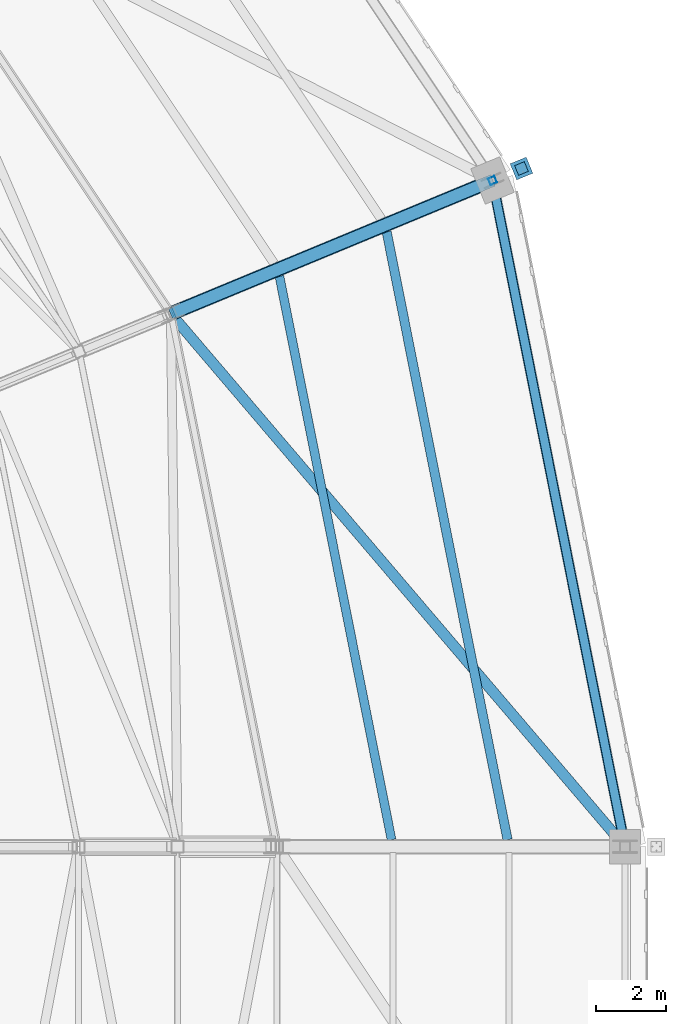
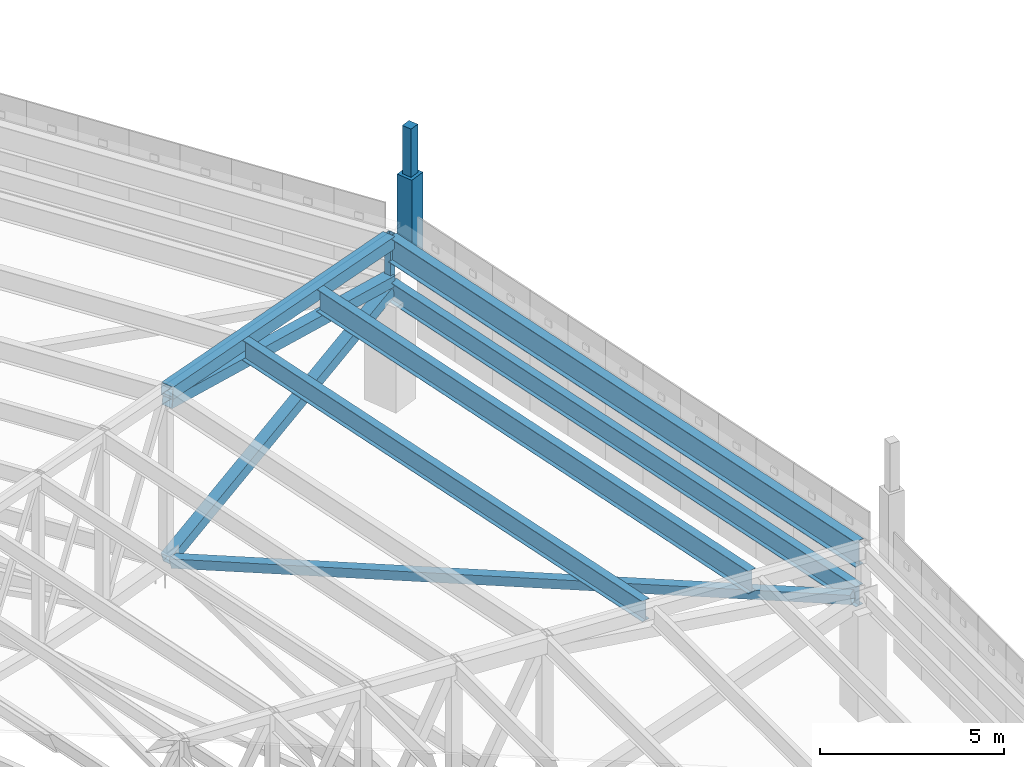
# One storey, part 105 of 278: 8 members, 3 beams.
"""IFC4 building model written with IfcOpenShell, lengths in metres."""

from ifc_helpers import new_model, si_unit, direction, frame, origin, origin_2d, place, context, subcontext, project, spatial, rectangle, hollow_rectangle, i_section, extrude, material, material_profile, profile_set, type_object, element, save


model = new_model("IFC4")

# Units and contexts
model_context = context("Model", 3, precision=1e-05, world=origin(), true_north=direction((0.0, 1.0)))
body_context = subcontext(model_context, "Body", "Model", "MODEL_VIEW")
ifc_project = project(units=[si_unit("LENGTHUNIT", "METRE"), si_unit("AREAUNIT", "SQUARE_METRE"), si_unit("VOLUMEUNIT", "CUBIC_METRE"), si_unit("PLANEANGLEUNIT", "RADIAN"), si_unit("MASSUNIT", "GRAM", prefix="KILO")], contexts=[model_context])

# Site, building, storey
site_placement = place(None, origin())
site = spatial("IfcSite", under=ifc_project, at=site_placement, CompositionType="ELEMENT")
building_placement = place(site_placement, origin())
building = spatial("IfcBuilding", under=site, at=building_placement, Name="Ogive Plaza Stadium", CompositionType="ELEMENT")
storey_placement = place(building_placement, frame((0.0, 0.0, 29.0)))
storey = spatial("IfcBuildingStorey", under=building, at=storey_placement, Name="Roof", CompositionType="ELEMENT", Elevation=29.0)

# Members
ifc_material_1 = material(Name="Concrete C45/55 precast", Category="concrete")
ifc_material_profile_1 = material_profile(ifc_material_1, rectangle(XDim=0.5, YDim=0.5, at=origin_2d()), Name="RC 500x500")
ifc_profile_set_1 = profile_set([ifc_material_profile_1], Name="Concrete C45/55 precast")
member_type_1 = type_object("IfcMemberType", Name="Precast pinnacle 500x500", PredefinedType="POST", material=ifc_profile_set_1)
member_1_placement = place(storey_placement, frame((81.025390625, 71.978515625, 4.0), z_axis=(0.0, 0.0, 1.0), x_axis=(-0.382683432365, 0.923879532511, 0.0)))
element("IfcMember", 1, at=member_1_placement, inside=storey, type_object=member_type_1, Name="PINNACLE R40", PredefinedType="POST", context=body_context, shape_type="SweptSolid", body=[
    extrude(rectangle(XDim=0.5, YDim=0.5, at=origin_2d()), origin(), (0.0, 0.0, 1.0), 3.0),
])
ifc_material_2 = material(Name="Concrete C45/55 precast", Category="concrete")
ifc_material_profile_2 = material_profile(ifc_material_2, rectangle(XDim=0.300048828125, YDim=0.300048828125, at=origin_2d()), Name="RC 300x300")
ifc_profile_set_2 = profile_set([ifc_material_profile_2], Name="Concrete C45/55 precast")
member_type_2 = type_object("IfcMemberType", Name="Precast spire 300x300", PredefinedType="MEMBER", material=ifc_profile_set_2)
member_2_placement = place(storey_placement, frame((81.025390625, 71.978515625, 7.0), z_axis=(0.0, 0.0, 1.0), x_axis=(-0.382683432365, 0.923879532511, 0.0)))
element("IfcMember", 2, at=member_2_placement, inside=storey, type_object=member_type_2, Name="SPIRE R40", PredefinedType="MEMBER", context=body_context, shape_type="SweptSolid", body=[
    extrude(rectangle(XDim=0.300048828125, YDim=0.300048828125, at=origin_2d()), origin(), (0.0, 0.0, 1.0), 1.60009765625),
])
ifc_material_3 = material(Name="Steel ASTM A500 Grade C", Category="steel")
ifc_material_profile_3 = material_profile(ifc_material_3, hollow_rectangle(XDim=0.3046875, YDim=0.3046875, WallThickness=0.0087890625, at=origin_2d()), Name="HSS12X12X3/8")
ifc_profile_set_3 = profile_set([ifc_material_profile_3], Name="Steel ASTM A500 Grade C")
member_type_3 = type_object("IfcMemberType", Name="Roof plan brace HSS12X12X3/8", PredefinedType="BRACE", material=ifc_profile_set_3)
member_3_placement = place(storey_placement, frame((71.071533203125, 67.670654296875, 0.234130859375), z_axis=(0.639156639067, -0.749996237985, 0.170248153429), x_axis=(0.761107477886, 0.648625783566, 0.0)))
element("IfcMember", 3, at=member_3_placement, inside=storey, type_object=member_type_3, Name="ROOF BRACE B40 11", PredefinedType="BRACE", context=body_context, shape_type="SweptSolid", body=[
    extrude(hollow_rectangle(XDim=0.3046875, YDim=0.3046875, WallThickness=0.0087890625, at=origin_2d()), origin(), (0.0, 0.0, 1.0), 19.9228515625),
])
ifc_material_4 = material(Name="Steel ASTM A992 Grade 50", Category="steel")
ifc_material_profile_4 = material_profile(ifc_material_4, i_section(OverallWidth=0.2529296875, OverallDepth=0.678466796875, WebThickness=0.01171875, FlangeThickness=0.016357421875, at=origin_2d()), Name="W27X84")
ifc_profile_set_4 = profile_set([ifc_material_profile_4], Name="Steel ASTM A992 Grade 50")
member_type_4 = type_object("IfcMemberType", Name="Roof plan strut W27X84", PredefinedType="STRUT", material=ifc_profile_set_4)
member_4_placement = place(storey_placement, frame((80.213134765625, 71.537353515625, 3.677734375), z_axis=(0.195099495499, -0.980783455639, 0.0), x_axis=(0.980783455639, 0.195099495499, 0.0)))
element("IfcMember", 4, at=member_4_placement, inside=storey, type_object=member_type_4, Name="ROOF STRUT B40 11", PredefinedType="STRUT", context=body_context, shape_type="SweptSolid", body=[
    extrude(i_section(OverallWidth=0.2529296875, OverallDepth=0.678466796875, WebThickness=0.01171875, FlangeThickness=0.016357421875, at=origin_2d()), origin(), (0.0, 0.0, 1.0), 19.259765625),
])
ifc_material_5 = material(Name="Steel ASTM A992 Grade 50", Category="steel")
ifc_material_profile_5 = material_profile(ifc_material_5, i_section(OverallWidth=0.2529296875, OverallDepth=0.678466796875, WebThickness=0.01171875, FlangeThickness=0.016357421875, at=origin_2d()), Name="W27X84")
ifc_profile_set_5 = profile_set([ifc_material_profile_5], Name="Steel ASTM A992 Grade 50")
member_type_5 = type_object("IfcMemberType", Name="Roof purlin W27X84", PredefinedType="PURLIN", material=ifc_profile_set_5)
member_5_placement = place(storey_placement, frame((74.07421875, 68.884521484375, 5.494140625), z_axis=(0.195097549229, -0.980783842794, 0.0), x_axis=(0.980783842794, 0.195097549229, 0.0)))
element("IfcMember", 5, at=member_5_placement, inside=storey, type_object=member_type_5, Name="ROOF PURLIN B40 11", PredefinedType="PURLIN", context=body_context, shape_type="SweptSolid", body=[
    extrude(i_section(OverallWidth=0.2529296875, OverallDepth=0.678466796875, WebThickness=0.01171875, FlangeThickness=0.016357421875, at=origin_2d()), origin(), (0.0, 0.0, 1.0), 16.503173828125),
])
ifc_material_6 = material(Name="Steel ASTM A992 Grade 50", Category="steel")
ifc_material_profile_6 = material_profile(ifc_material_6, i_section(OverallWidth=0.26416015625, OverallDepth=0.75, WebThickness=0.011962890625, FlangeThickness=0.015380859375, at=origin_2d()), Name="W30X90")
ifc_profile_set_6 = profile_set([ifc_material_profile_6], Name="Steel ASTM A992 Grade 50")
member_type_6 = type_object("IfcMemberType", Name="Roof purlin W30X90", PredefinedType="PURLIN", material=ifc_profile_set_6)
member_6_placement = place(storey_placement, frame((77.154052734375, 70.158935546875, 5.291748046875), z_axis=(0.195090070818, -0.98078533037, 0.0), x_axis=(0.98078533037, 0.195090070818, 0.0)))
element("IfcMember", 6, at=member_6_placement, inside=storey, type_object=member_type_6, Name="ROOF PURLIN B40 12", PredefinedType="PURLIN", context=body_context, shape_type="SweptSolid", body=[
    extrude(i_section(OverallWidth=0.26416015625, OverallDepth=0.75, WebThickness=0.011962890625, FlangeThickness=0.015380859375, at=origin_2d()), origin(), (0.0, 0.0, 1.0), 17.801513671875),
])
ifc_material_7 = material(Name="Steel ASTM A992 Grade 50", Category="steel")
ifc_material_profile_7 = material_profile(ifc_material_7, i_section(OverallWidth=0.2919921875, OverallDepth=0.834716796875, WebThickness=0.013916015625, FlangeThickness=0.018798828125, at=origin_2d()), Name="W33X118")
ifc_profile_set_7 = profile_set([ifc_material_profile_7], Name="Steel ASTM A992 Grade 50")
member_type_7 = type_object("IfcMemberType", Name="Roof purlin W33X118", PredefinedType="PURLIN", material=ifc_profile_set_7)
member_7_placement = place(storey_placement, frame((80.214111328125, 71.533447265625, 5.082763671875), z_axis=(0.195089328978, -0.98078547793, 0.0), x_axis=(0.98078547793, 0.195089328978, 0.0)))
element("IfcMember", 7, at=member_7_placement, inside=storey, type_object=member_type_7, Name="ROOF PURLIN B40 13", PredefinedType="PURLIN", context=body_context, shape_type="SweptSolid", body=[
    extrude(i_section(OverallWidth=0.2919921875, OverallDepth=0.834716796875, WebThickness=0.013916015625, FlangeThickness=0.018798828125, at=origin_2d()), origin(), (0.0, 0.0, 1.0), 19.251953125),
])

# Beams
ifc_material_8 = material(Name="Steel ASTM A500 Grade C", Category="steel")
ifc_material_profile_8 = material_profile(ifc_material_8, hollow_rectangle(XDim=0.355712890625, YDim=0.355712890625, WallThickness=0.0146484375, at=origin_2d()), Name="HSS14X14X5/8")
ifc_profile_set_8 = profile_set([ifc_material_profile_8], Name="Steel ASTM A500 Grade C")
beam_type_1 = type_object("IfcBeamType", Name="Roof truss back-span bottom chord HSS14X14X5/8", PredefinedType="BEAM", material=ifc_profile_set_8)
beam_1_placement = place(storey_placement, frame((71.00146484375, 67.826416015625, 0.205810546875), z_axis=(0.8720107052, 0.361198342864, 0.330352973543), x_axis=(-0.382683145003, 0.92387965154, 0.0)))
element("IfcBeam", 8, at=beam_1_placement, inside=storey, type_object=beam_type_1, Name="ROOF TRUSS T40 BOTTOM CHORD 11", PredefinedType="BEAM", context=body_context, shape_type="SweptSolid", body=[
    extrude(hollow_rectangle(XDim=0.355712890625, YDim=0.355712890625, WallThickness=0.0146484375, at=origin_2d()), origin(), (0.0, 0.0, 1.0), 10.4794921875),
])
ifc_material_9 = material(Name="Steel ASTM A500 Grade C", Category="steel")
ifc_material_profile_9 = material_profile(ifc_material_9, hollow_rectangle(XDim=0.406494140625, YDim=0.406494140625, WallThickness=0.01171875, at=origin_2d()), Name="HSS16X16X1/2")
ifc_profile_set_9 = profile_set([ifc_material_profile_9], Name="Steel ASTM A500 Grade C")
beam_type_2 = type_object("IfcBeamType", Name="Roof truss back-span top chord HSS16X16X1/2", PredefinedType="BEAM", material=ifc_profile_set_9)
beam_2_placement = place(storey_placement, frame((71.00146484375, 67.826416015625, 5.7939453125), z_axis=(0.922724635654, 0.382212873931, -0.049925602233), x_axis=(-0.382690111637, 0.923876765838, 0.0)))
element("IfcBeam", 9, at=beam_2_placement, inside=storey, type_object=beam_type_2, Name="ROOF TRUSS T40 TOP CHORD 11", PredefinedType="BEAM", context=body_context, shape_type="SweptSolid", body=[
    extrude(hollow_rectangle(XDim=0.406494140625, YDim=0.406494140625, WallThickness=0.01171875, at=origin_2d()), origin(), (0.0, 0.0, 1.0), 9.912109375),
])

# Member
ifc_material_10 = material(Name="Steel ASTM A500 Grade C", Category="steel")
ifc_material_profile_10 = material_profile(ifc_material_10, hollow_rectangle(XDim=0.355712890625, YDim=0.355712890625, WallThickness=0.01171875, at=origin_2d()), Name="HSS14X14X1/2")
ifc_profile_set_10 = profile_set([ifc_material_profile_10], Name="Steel ASTM A500 Grade C")
member_type_8 = type_object("IfcMemberType", Name="Roof truss back-stay HSS14X14X1/2", PredefinedType="BRACE", material=ifc_profile_set_10)
member_8_placement = place(storey_placement, frame((71.01708984375, 67.8330078125, 5.456787109375), z_axis=(0.913970348271, 0.378574229049, -0.146081332079), x_axis=(-0.382679390263, 0.923881206794, 0.0)))
element("IfcMember", 10, at=member_8_placement, inside=storey, type_object=member_type_8, Name="BACK-STAY T40", PredefinedType="BRACE", context=body_context, shape_type="SweptSolid", body=[
    extrude(hollow_rectangle(XDim=0.355712890625, YDim=0.355712890625, WallThickness=0.01171875, at=origin_2d()), origin(), (0.0, 0.0, 1.0), 10.024169921875),
])

# Beam
ifc_material_11 = material(Name="Steel ASTM A500 Grade C", Category="steel")
ifc_material_profile_11 = material_profile(ifc_material_11, hollow_rectangle(XDim=0.203125, YDim=0.203125, WallThickness=0.0087890625, at=origin_2d()), Name="HSS8X8X3/8")
ifc_profile_set_11 = profile_set([ifc_material_profile_11], Name="Steel ASTM A500 Grade C")
beam_type_3 = type_object("IfcBeamType", Name="Roof truss post HSS8X8X3/8", PredefinedType="BEAM", material=ifc_profile_set_11)
beam_3_placement = place(storey_placement, frame((80.194091796875, 71.63427734375, 3.43994140625), z_axis=(0.0, 0.0, 1.0), x_axis=(-0.382683432365, 0.923879532511, 0.0)))
element("IfcBeam", 11, at=beam_3_placement, inside=storey, type_object=beam_type_3, Name="ROOF TRUSS T40 POST 12", PredefinedType="BEAM", context=body_context, shape_type="SweptSolid", body=[
    extrude(hollow_rectangle(XDim=0.203125, YDim=0.203125, WallThickness=0.0087890625, at=origin_2d()), origin(), (0.0, 0.0, 1.0), 2.06005859375),
])

save(model, "model.ifc")
